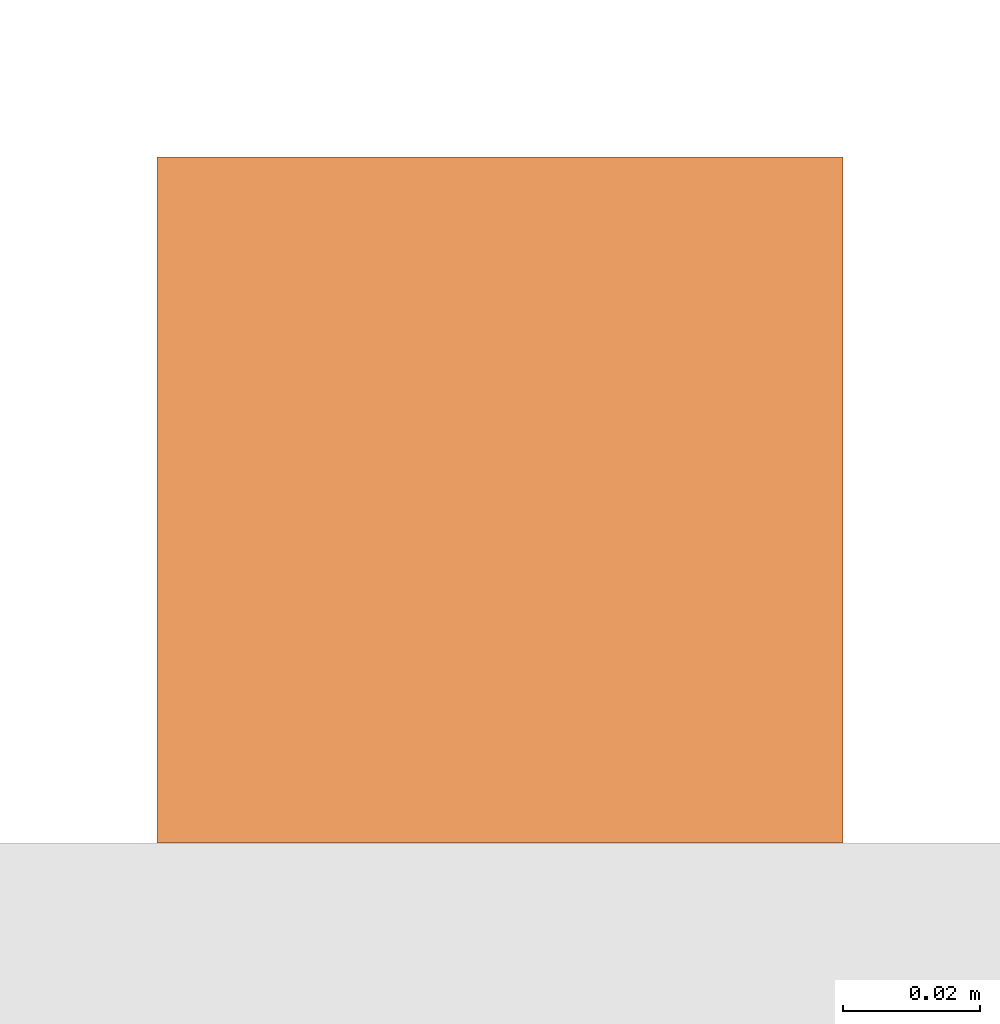
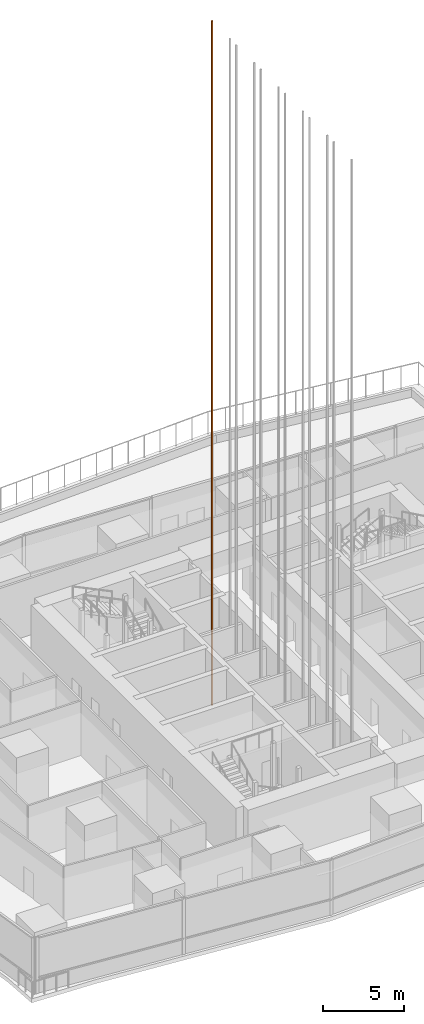
# One storey, part 39 of 39: 1 proxy.
"""IFC4 building model written with IfcOpenShell, lengths in metres."""

from ifc_helpers import new_model, si_unit, direction, frame, origin, origin_2d, place, context, subcontext, project, spatial, rectangle, extrude, material, type_object, element, save


model = new_model("IFC4")

# Units and contexts
model_context = context("Model", 3, precision=1e-05, world=origin(), true_north=direction((0.0, 1.0)))
body_context = subcontext(model_context, "Body", "Model", "MODEL_VIEW")
ifc_project = project(units=[si_unit("LENGTHUNIT", "METRE"), si_unit("AREAUNIT", "SQUARE_METRE"), si_unit("VOLUMEUNIT", "CUBIC_METRE"), si_unit("PLANEANGLEUNIT", "RADIAN"), si_unit("MASSUNIT", "GRAM", prefix="KILO")], contexts=[model_context])

# Site, building, storey
site_placement = place(None, origin())
site = spatial("IfcSite", under=ifc_project, at=site_placement, CompositionType="ELEMENT")
building_placement = place(site_placement, origin())
building = spatial("IfcBuilding", under=site, at=building_placement, Name="Rekha Terrace Tower", CompositionType="ELEMENT")
storey_placement = place(building_placement, frame((0.0, 0.0, 245.60009765625)))
storey = spatial("IfcBuildingStorey", under=building, at=storey_placement, Name="L62", CompositionType="ELEMENT", Elevation=245.60009765625)

# Proxy
ifc_material = material(Name="Steel guide rail", Category="steel")
building_element_proxy_type = type_object("IfcBuildingElementProxyType", Name="LR1 100 lift guide rail", PredefinedType="ELEMENT", material=ifc_material)
proxy_placement = place(storey_placement, frame((34.5, 41.0, -3.30029296875), z_axis=(0.0, 0.0, 1.0), x_axis=(1.0, 0.0, 0.0)))
element("IfcBuildingElementProxy", 1, at=proxy_placement, inside=storey, type_object=building_element_proxy_type, Name="Lift D6 guide rail 2", PredefinedType="ELEMENT", context=body_context, shape_type="SweptSolid", body=[
    extrude(rectangle(XDim=0.10009765625, YDim=0.10009765625, at=origin_2d()), origin(), (0.0, 0.0, 1.0), 51.449951171875),
])

save(model, "model.ifc")
